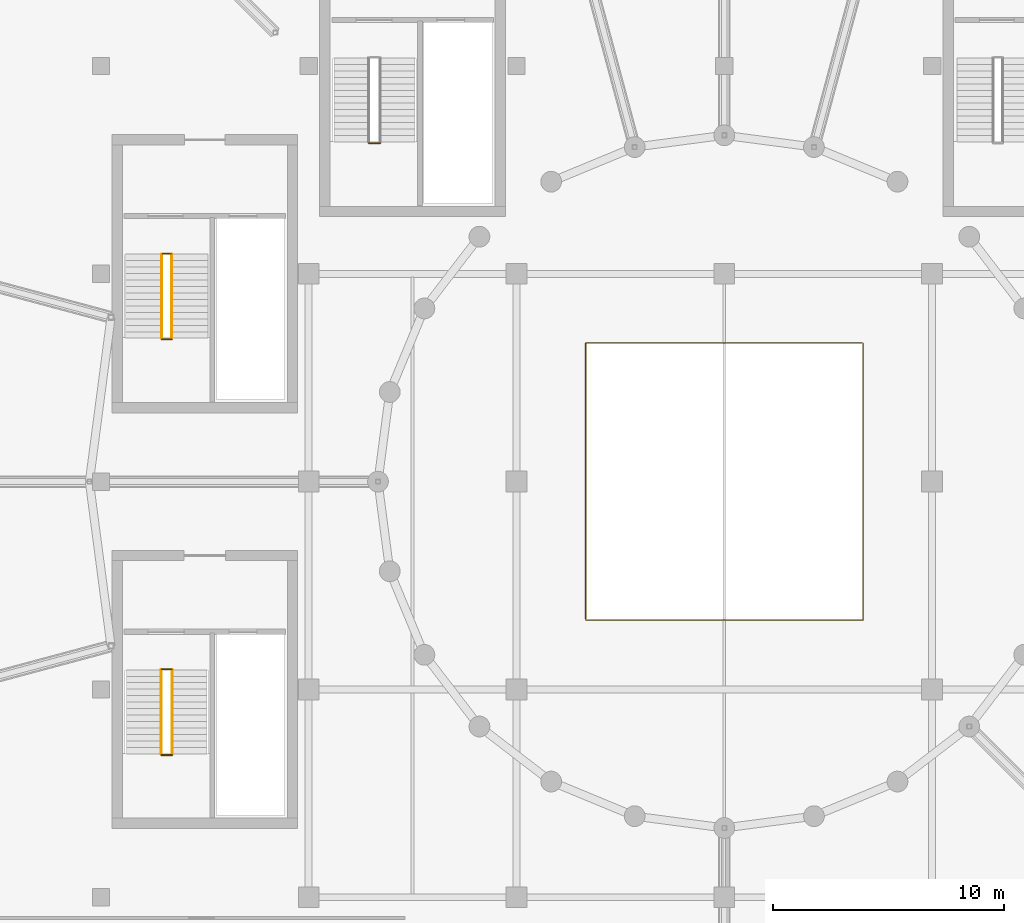
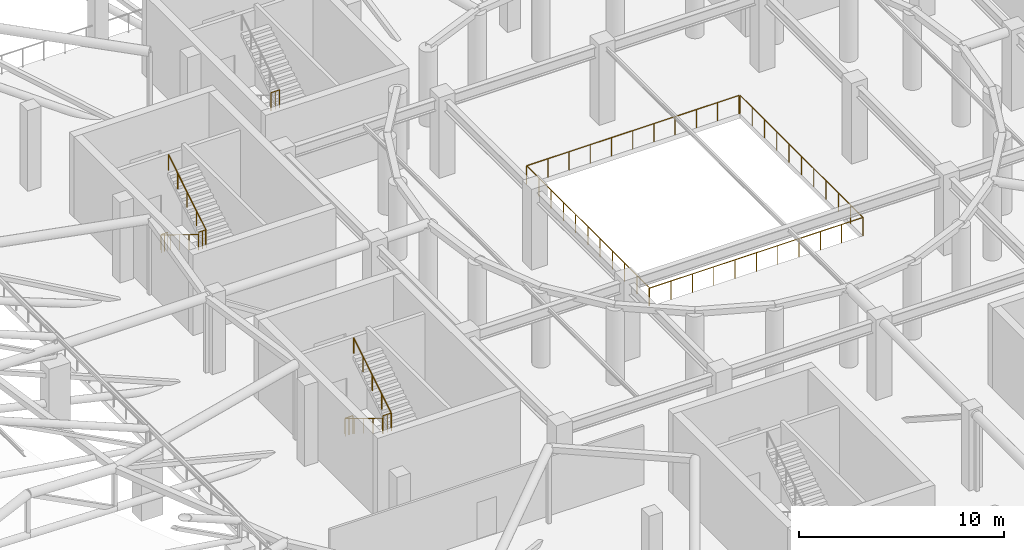
# One storey, part 155 of 167: 11 railings.
"""IFC4 building model written with IfcOpenShell, lengths in metres."""

from ifc_helpers import new_model, si_unit, direction, frame, origin, origin_2d, place, context, subcontext, project, spatial, circle, extrude, material, type_object, element, save


model = new_model("IFC4")

# Units and contexts
model_context = context("Model", 3, precision=1e-05, world=origin(), true_north=direction((0.0, 1.0)))
body_context = subcontext(model_context, "Body", "Model", "MODEL_VIEW")
ifc_project = project(units=[si_unit("LENGTHUNIT", "METRE"), si_unit("AREAUNIT", "SQUARE_METRE"), si_unit("VOLUMEUNIT", "CUBIC_METRE"), si_unit("PLANEANGLEUNIT", "RADIAN"), si_unit("MASSUNIT", "GRAM", prefix="KILO")], contexts=[model_context])

# Site, building, storey
site_placement = place(None, origin())
site = spatial("IfcSite", under=ifc_project, at=site_placement, CompositionType="ELEMENT")
building_placement = place(site_placement, origin())
building = spatial("IfcBuilding", under=site, at=building_placement, Name="Dornveld Trade and Exhibition Forum", CompositionType="ELEMENT")
storey_placement = place(building_placement, frame((0.0, 0.0, 16.800048828125)))
storey = spatial("IfcBuildingStorey", under=building, at=storey_placement, Name="L03", CompositionType="ELEMENT", Elevation=16.800048828125)

# Railings
ifc_material_1 = material(Name="Dark-bronze steel and laminated glass balustrade", Category="steel")
railing_type_1 = type_object("IfcRailingType", Name="RL-BALUST-CONC", PredefinedType="BALUSTRADE", material=ifc_material_1)
railing_1_placement = place(storey_placement, frame((111.0, 75.0, 0.0)))
element("IfcRailing", 1, at=railing_1_placement, inside=storey, type_object=railing_type_1, Name="L03 protective edge guard 18", PredefinedType="BALUSTRADE", context=body_context, shape_type="SweptSolid", body=[
    extrude(circle(Radius=0.02490234375, at=origin_2d()), frame((0.0, 0.0, 1.09521484375), z_axis=(1.0, 0.0, 0.0), x_axis=(0.0, 1.0, 0.0)), (0.0, 0.0, 1.0), 12.0),
    extrude(circle(Radius=0.02490234375, at=origin_2d()), frame((12.0, 0.0, 1.09521484375), z_axis=(0.0, 1.0, 0.0), x_axis=(-1.0, 0.0, 0.0)), (0.0, 0.0, 1.0), 12.0),
    extrude(circle(Radius=0.02099609375, at=origin_2d()), origin(), (0.0, 0.0, 1.0), 1.070068359375),
    extrude(circle(Radius=0.02099609375, at=origin_2d()), frame((1.199951171875, 0.0, 0.0)), (0.0, 0.0, 1.0), 1.070068359375),
    extrude(circle(Radius=0.02099609375, at=origin_2d()), frame((2.39990234375, 0.0, 0.0)), (0.0, 0.0, 1.0), 1.070068359375),
    extrude(circle(Radius=0.02099609375, at=origin_2d()), frame((3.60009765625, 0.0, 0.0)), (0.0, 0.0, 1.0), 1.070068359375),
    extrude(circle(Radius=0.02099609375, at=origin_2d()), frame((4.800048828125, 0.0, 0.0)), (0.0, 0.0, 1.0), 1.070068359375),
    extrude(circle(Radius=0.02099609375, at=origin_2d()), frame((6.0, 0.0, 0.0)), (0.0, 0.0, 1.0), 1.070068359375),
    extrude(circle(Radius=0.02099609375, at=origin_2d()), frame((7.199951171875, 0.0, 0.0)), (0.0, 0.0, 1.0), 1.070068359375),
    extrude(circle(Radius=0.02099609375, at=origin_2d()), frame((8.39990234375, 0.0, 0.0)), (0.0, 0.0, 1.0), 1.070068359375),
    extrude(circle(Radius=0.02099609375, at=origin_2d()), frame((9.60009765625, 0.0, 0.0)), (0.0, 0.0, 1.0), 1.070068359375),
    extrude(circle(Radius=0.02099609375, at=origin_2d()), frame((10.800048828125, 0.0, 0.0)), (0.0, 0.0, 1.0), 1.070068359375),
    extrude(circle(Radius=0.02099609375, at=origin_2d()), frame((12.0, 0.0, 0.0)), (0.0, 0.0, 1.0), 1.070068359375),
    extrude(circle(Radius=0.02099609375, at=origin_2d()), frame((12.0, 1.199951171875, 0.0)), (0.0, 0.0, 1.0), 1.070068359375),
    extrude(circle(Radius=0.02099609375, at=origin_2d()), frame((12.0, 2.39990234375, 0.0)), (0.0, 0.0, 1.0), 1.070068359375),
    extrude(circle(Radius=0.02099609375, at=origin_2d()), frame((12.0, 3.60009765625, 0.0)), (0.0, 0.0, 1.0), 1.070068359375),
    extrude(circle(Radius=0.02099609375, at=origin_2d()), frame((12.0, 4.800048828125, 0.0)), (0.0, 0.0, 1.0), 1.070068359375),
    extrude(circle(Radius=0.02099609375, at=origin_2d()), frame((12.0, 6.0, 0.0)), (0.0, 0.0, 1.0), 1.070068359375),
    extrude(circle(Radius=0.02099609375, at=origin_2d()), frame((12.0, 7.199951171875, 0.0)), (0.0, 0.0, 1.0), 1.070068359375),
    extrude(circle(Radius=0.02099609375, at=origin_2d()), frame((12.0, 8.39990234375, 0.0)), (0.0, 0.0, 1.0), 1.070068359375),
    extrude(circle(Radius=0.02099609375, at=origin_2d()), frame((12.0, 9.60009765625, 0.0)), (0.0, 0.0, 1.0), 1.070068359375),
    extrude(circle(Radius=0.02099609375, at=origin_2d()), frame((12.0, 10.800048828125, 0.0)), (0.0, 0.0, 1.0), 1.070068359375),
    extrude(circle(Radius=0.02099609375, at=origin_2d()), frame((12.0, 12.0, 0.0)), (0.0, 0.0, 1.0), 1.070068359375),
])
railing_2_placement = place(storey_placement, frame((122.93994140625, 87.0, 0.0)))
element("IfcRailing", 2, at=railing_2_placement, inside=storey, type_object=railing_type_1, Name="L03 protective edge guard 19", PredefinedType="BALUSTRADE", context=body_context, shape_type="SweptSolid", body=[
    extrude(circle(Radius=0.02490234375, at=origin_2d()), frame((0.0, 0.0, 1.09521484375), z_axis=(-1.0, 0.0, 0.0), x_axis=(0.0, -1.0, 0.0)), (0.0, 0.0, 1.0), 11.93994140625),
    extrude(circle(Radius=0.02490234375, at=origin_2d()), frame((-11.93994140625, 0.0, 1.09521484375), z_axis=(0.0, -1.0, 0.0), x_axis=(1.0, 0.0, 0.0)), (0.0, 0.0, 1.0), 11.93994140625),
    extrude(circle(Radius=0.02099609375, at=origin_2d()), origin(), (0.0, 0.0, 1.0), 1.070068359375),
    extrude(circle(Radius=0.02099609375, at=origin_2d()), frame((-1.194091796875, 0.0, 0.0)), (0.0, 0.0, 1.0), 1.070068359375),
    extrude(circle(Radius=0.02099609375, at=origin_2d()), frame((-2.387939453125, 0.0, 0.0)), (0.0, 0.0, 1.0), 1.070068359375),
    extrude(circle(Radius=0.02099609375, at=origin_2d()), frame((-3.58203125, 0.0, 0.0)), (0.0, 0.0, 1.0), 1.070068359375),
    extrude(circle(Radius=0.02099609375, at=origin_2d()), frame((-4.77587890625, 0.0, 0.0)), (0.0, 0.0, 1.0), 1.070068359375),
    extrude(circle(Radius=0.02099609375, at=origin_2d()), frame((-5.969970703125, 0.0, 0.0)), (0.0, 0.0, 1.0), 1.070068359375),
    extrude(circle(Radius=0.02099609375, at=origin_2d()), frame((-7.1640625, 0.0, 0.0)), (0.0, 0.0, 1.0), 1.070068359375),
    extrude(circle(Radius=0.02099609375, at=origin_2d()), frame((-8.35791015625, 0.0, 0.0)), (0.0, 0.0, 1.0), 1.070068359375),
    extrude(circle(Radius=0.02099609375, at=origin_2d()), frame((-9.552001953125, 0.0, 0.0)), (0.0, 0.0, 1.0), 1.070068359375),
    extrude(circle(Radius=0.02099609375, at=origin_2d()), frame((-10.745849609375, 0.0, 0.0)), (0.0, 0.0, 1.0), 1.070068359375),
    extrude(circle(Radius=0.02099609375, at=origin_2d()), frame((-11.93994140625, 0.0, 0.0)), (0.0, 0.0, 1.0), 1.070068359375),
    extrude(circle(Radius=0.02099609375, at=origin_2d()), frame((-11.93994140625, -1.194091796875, 0.0)), (0.0, 0.0, 1.0), 1.070068359375),
    extrude(circle(Radius=0.02099609375, at=origin_2d()), frame((-11.93994140625, -2.387939453125, 0.0)), (0.0, 0.0, 1.0), 1.070068359375),
    extrude(circle(Radius=0.02099609375, at=origin_2d()), frame((-11.93994140625, -3.58203125, 0.0)), (0.0, 0.0, 1.0), 1.070068359375),
    extrude(circle(Radius=0.02099609375, at=origin_2d()), frame((-11.93994140625, -4.77587890625, 0.0)), (0.0, 0.0, 1.0), 1.070068359375),
    extrude(circle(Radius=0.02099609375, at=origin_2d()), frame((-11.93994140625, -5.969970703125, 0.0)), (0.0, 0.0, 1.0), 1.070068359375),
    extrude(circle(Radius=0.02099609375, at=origin_2d()), frame((-11.93994140625, -7.1640625, 0.0)), (0.0, 0.0, 1.0), 1.070068359375),
    extrude(circle(Radius=0.02099609375, at=origin_2d()), frame((-11.93994140625, -8.35791015625, 0.0)), (0.0, 0.0, 1.0), 1.070068359375),
    extrude(circle(Radius=0.02099609375, at=origin_2d()), frame((-11.93994140625, -9.552001953125, 0.0)), (0.0, 0.0, 1.0), 1.070068359375),
    extrude(circle(Radius=0.02099609375, at=origin_2d()), frame((-11.93994140625, -10.745849609375, 0.0)), (0.0, 0.0, 1.0), 1.070068359375),
    extrude(circle(Radius=0.02099609375, at=origin_2d()), frame((-11.93994140625, -11.93994140625, 0.0)), (0.0, 0.0, 1.0), 1.070068359375),
])
ifc_material_2 = material(Name="Brushed stainless steel handrail", Category="steel")
railing_type_2 = type_object("IfcRailingType", Name="RL-HAND-920", PredefinedType="HANDRAIL", material=ifc_material_2)
railing_3_placement = place(storey_placement, frame((92.639892578125, 90.85009765625, 0.17138671875)))
element("IfcRailing", 3, at=railing_3_placement, inside=storey, type_object=railing_type_2, Name="ST-04-L03 flight 1 handrail", PredefinedType="HANDRAIL", context=body_context, shape_type="SweptSolid", body=[
    extrude(circle(Radius=0.02099609375, at=origin_2d()), frame((0.0, 0.0, 0.89892578125), z_axis=(0.0, -0.852865859571, 0.52213008492), x_axis=(1.0, 0.0, 0.0)), (0.0, 0.0, 1.0), 4.26806640625),
    extrude(circle(Radius=0.01806640625, at=origin_2d()), origin(), (0.0, 0.0, 1.0), 0.8779296875),
    extrude(circle(Radius=0.01806640625, at=origin_2d()), frame((0.0, -0.91015625, 0.55712890625)), (0.0, 0.0, 1.0), 0.8779296875),
    extrude(circle(Radius=0.01806640625, at=origin_2d()), frame((0.0, -1.820068359375, 1.1142578125)), (0.0, 0.0, 1.0), 0.8779296875),
    extrude(circle(Radius=0.01806640625, at=origin_2d()), frame((0.0, -2.72998046875, 1.67138671875)), (0.0, 0.0, 1.0), 0.8779296875),
    extrude(circle(Radius=0.01806640625, at=origin_2d()), frame((0.0, -3.64013671875, 2.228515625)), (0.0, 0.0, 1.0), 0.8779296875),
])
railing_4_placement = place(storey_placement, frame((93.06005859375, 87.2099609375, 2.5712890625)))
element("IfcRailing", 4, at=railing_4_placement, inside=storey, type_object=railing_type_2, Name="ST-04-L03 flight 2 handrail", PredefinedType="HANDRAIL", context=body_context, shape_type="SweptSolid", body=[
    extrude(circle(Radius=0.02099609375, at=origin_2d()), frame((0.0, 0.0, 0.89892578125), z_axis=(0.0, 0.852840387347, 0.522171689878), x_axis=(-1.0, 0.0, 0.0)), (0.0, 0.0, 1.0), 4.268310546875),
    extrude(circle(Radius=0.01806640625, at=origin_2d()), origin(), (0.0, 0.0, 1.0), 0.8779296875),
    extrude(circle(Radius=0.01806640625, at=origin_2d()), frame((0.0, 0.91015625, 0.55712890625)), (0.0, 0.0, 1.0), 0.8779296875),
    extrude(circle(Radius=0.01806640625, at=origin_2d()), frame((0.0, 1.820068359375, 1.1142578125)), (0.0, 0.0, 1.0), 0.8779296875),
    extrude(circle(Radius=0.01806640625, at=origin_2d()), frame((0.0, 2.72998046875, 1.671630859375)), (0.0, 0.0, 1.0), 0.8779296875),
    extrude(circle(Radius=0.01806640625, at=origin_2d()), frame((0.0, 3.64013671875, 2.228759765625)), (0.0, 0.0, 1.0), 0.8779296875),
])
railing_5_placement = place(storey_placement, frame((92.60498046875, 72.85009765625, 0.17138671875)))
element("IfcRailing", 5, at=railing_5_placement, inside=storey, type_object=railing_type_2, Name="ST-05-L03 flight 1 handrail", PredefinedType="HANDRAIL", context=body_context, shape_type="SweptSolid", body=[
    extrude(circle(Radius=0.02099609375, at=origin_2d()), frame((0.0, 0.0, 0.89892578125), z_axis=(0.0, -0.852865859571, 0.52213008492), x_axis=(1.0, 0.0, 0.0)), (0.0, 0.0, 1.0), 4.26806640625),
    extrude(circle(Radius=0.01806640625, at=origin_2d()), origin(), (0.0, 0.0, 1.0), 0.8779296875),
    extrude(circle(Radius=0.01806640625, at=origin_2d()), frame((0.0, -0.91015625, 0.55712890625)), (0.0, 0.0, 1.0), 0.8779296875),
    extrude(circle(Radius=0.01806640625, at=origin_2d()), frame((0.0, -1.820068359375, 1.1142578125)), (0.0, 0.0, 1.0), 0.8779296875),
    extrude(circle(Radius=0.01806640625, at=origin_2d()), frame((0.0, -2.72998046875, 1.67138671875)), (0.0, 0.0, 1.0), 0.8779296875),
    extrude(circle(Radius=0.01806640625, at=origin_2d()), frame((0.0, -3.64013671875, 2.228515625)), (0.0, 0.0, 1.0), 0.8779296875),
])
railing_6_placement = place(storey_placement, frame((93.094970703125, 69.2099609375, 2.5712890625)))
element("IfcRailing", 6, at=railing_6_placement, inside=storey, type_object=railing_type_2, Name="ST-05-L03 flight 2 handrail", PredefinedType="HANDRAIL", context=body_context, shape_type="SweptSolid", body=[
    extrude(circle(Radius=0.02099609375, at=origin_2d()), frame((0.0, 0.0, 0.89892578125), z_axis=(0.0, 0.852840387347, 0.522171689878), x_axis=(-1.0, 0.0, 0.0)), (0.0, 0.0, 1.0), 4.268310546875),
    extrude(circle(Radius=0.01806640625, at=origin_2d()), origin(), (0.0, 0.0, 1.0), 0.8779296875),
    extrude(circle(Radius=0.01806640625, at=origin_2d()), frame((0.0, 0.91015625, 0.55712890625)), (0.0, 0.0, 1.0), 0.8779296875),
    extrude(circle(Radius=0.01806640625, at=origin_2d()), frame((0.0, 1.820068359375, 1.1142578125)), (0.0, 0.0, 1.0), 0.8779296875),
    extrude(circle(Radius=0.01806640625, at=origin_2d()), frame((0.0, 2.72998046875, 1.671630859375)), (0.0, 0.0, 1.0), 0.8779296875),
    extrude(circle(Radius=0.01806640625, at=origin_2d()), frame((0.0, 3.64013671875, 2.228759765625)), (0.0, 0.0, 1.0), 0.8779296875),
])
ifc_material_3 = material(Name="Painted steel S355J2 stair-well guard", Category="steel")
railing_type_3 = type_object("IfcRailingType", Name="RL-WELL-110", PredefinedType="GUARDRAIL", material=ifc_material_3)
railing_7_placement = place(storey_placement, frame((101.60498046875, 95.659912109375, 2.39990234375)))
element("IfcRailing", 7, at=railing_7_placement, inside=storey, type_object=railing_type_3, Name="ST-03-L03 half-landing well guard", PredefinedType="GUARDRAIL", context=body_context, shape_type="SweptSolid", body=[
    extrude(circle(Radius=0.02392578125, at=origin_2d()), frame((0.0, 0.0, 1.076171875), z_axis=(1.0, 0.0, 0.0), x_axis=(0.0, 1.0, 0.0)), (0.0, 0.0, 1.0), 0.489990234375),
    extrude(circle(Radius=0.02001953125, at=origin_2d()), origin(), (0.0, 0.0, 1.0), 1.052001953125),
    extrude(circle(Radius=0.02001953125, at=origin_2d()), frame((0.2451171875, 0.0, 0.0)), (0.0, 0.0, 1.0), 1.052001953125),
    extrude(circle(Radius=0.02001953125, at=origin_2d()), frame((0.489990234375, 0.0, 0.0)), (0.0, 0.0, 1.0), 1.052001953125),
])
railing_8_placement = place(storey_placement, frame((92.639892578125, 87.159912109375, 2.39990234375)))
element("IfcRailing", 8, at=railing_8_placement, inside=storey, type_object=railing_type_3, Name="ST-04-L03 half-landing well guard", PredefinedType="GUARDRAIL", context=body_context, shape_type="SweptSolid", body=[
    extrude(circle(Radius=0.02392578125, at=origin_2d()), frame((0.0, 0.0, 1.076171875), z_axis=(1.0, 0.0, 0.0), x_axis=(0.0, 1.0, 0.0)), (0.0, 0.0, 1.0), 0.420166015625),
    extrude(circle(Radius=0.02001953125, at=origin_2d()), origin(), (0.0, 0.0, 1.0), 1.052001953125),
    extrude(circle(Radius=0.02001953125, at=origin_2d()), frame((0.2099609375, 0.0, 0.0)), (0.0, 0.0, 1.0), 1.052001953125),
    extrude(circle(Radius=0.02001953125, at=origin_2d()), frame((0.420166015625, 0.0, 0.0)), (0.0, 0.0, 1.0), 1.052001953125),
])
railing_9_placement = place(storey_placement, frame((92.669921875, 90.8701171875, 0.0)))
element("IfcRailing", 9, at=railing_9_placement, inside=storey, type_object=railing_type_3, Name="CORE-04 L03 stair-slot floor guard", PredefinedType="GUARDRAIL", context=body_context, shape_type="SweptSolid", body=[
    extrude(circle(Radius=0.02392578125, at=origin_2d()), frame((0.0, 0.0, 1.076171875), z_axis=(1.0, 0.0, 0.0), x_axis=(0.0, 1.0, 0.0)), (0.0, 0.0, 1.0), 0.360107421875),
    extrude(circle(Radius=0.02001953125, at=origin_2d()), origin(), (0.0, 0.0, 1.0), 1.052001953125),
    extrude(circle(Radius=0.02001953125, at=origin_2d()), frame((0.18017578125, 0.0, 0.0)), (0.0, 0.0, 1.0), 1.052001953125),
    extrude(circle(Radius=0.02001953125, at=origin_2d()), frame((0.360107421875, 0.0, 0.0)), (0.0, 0.0, 1.0), 1.052001953125),
])
railing_10_placement = place(storey_placement, frame((92.60498046875, 69.159912109375, 2.39990234375)))
element("IfcRailing", 10, at=railing_10_placement, inside=storey, type_object=railing_type_3, Name="ST-05-L03 half-landing well guard", PredefinedType="GUARDRAIL", context=body_context, shape_type="SweptSolid", body=[
    extrude(circle(Radius=0.02392578125, at=origin_2d()), frame((0.0, 0.0, 1.076171875), z_axis=(1.0, 0.0, 0.0), x_axis=(0.0, 1.0, 0.0)), (0.0, 0.0, 1.0), 0.489990234375),
    extrude(circle(Radius=0.02001953125, at=origin_2d()), origin(), (0.0, 0.0, 1.0), 1.052001953125),
    extrude(circle(Radius=0.02001953125, at=origin_2d()), frame((0.2451171875, 0.0, 0.0)), (0.0, 0.0, 1.0), 1.052001953125),
    extrude(circle(Radius=0.02001953125, at=origin_2d()), frame((0.489990234375, 0.0, 0.0)), (0.0, 0.0, 1.0), 1.052001953125),
])
railing_11_placement = place(storey_placement, frame((92.635009765625, 72.8701171875, 0.0)))
element("IfcRailing", 11, at=railing_11_placement, inside=storey, type_object=railing_type_3, Name="CORE-05 L03 stair-slot floor guard", PredefinedType="GUARDRAIL", context=body_context, shape_type="SweptSolid", body=[
    extrude(circle(Radius=0.02392578125, at=origin_2d()), frame((0.0, 0.0, 1.076171875), z_axis=(1.0, 0.0, 0.0), x_axis=(0.0, 1.0, 0.0)), (0.0, 0.0, 1.0), 0.429931640625),
    extrude(circle(Radius=0.02001953125, at=origin_2d()), origin(), (0.0, 0.0, 1.0), 1.052001953125),
    extrude(circle(Radius=0.02001953125, at=origin_2d()), frame((0.21484375, 0.0, 0.0)), (0.0, 0.0, 1.0), 1.052001953125),
    extrude(circle(Radius=0.02001953125, at=origin_2d()), frame((0.429931640625, 0.0, 0.0)), (0.0, 0.0, 1.0), 1.052001953125),
])

save(model, "model.ifc")
